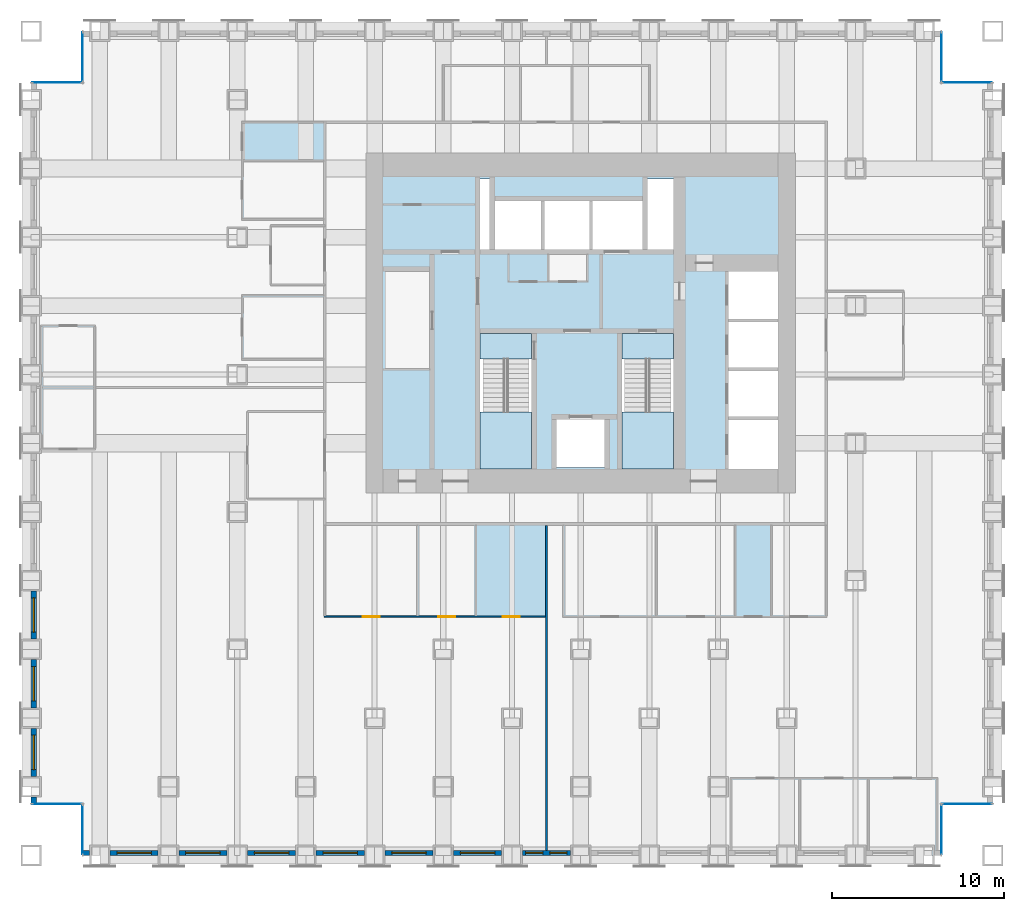
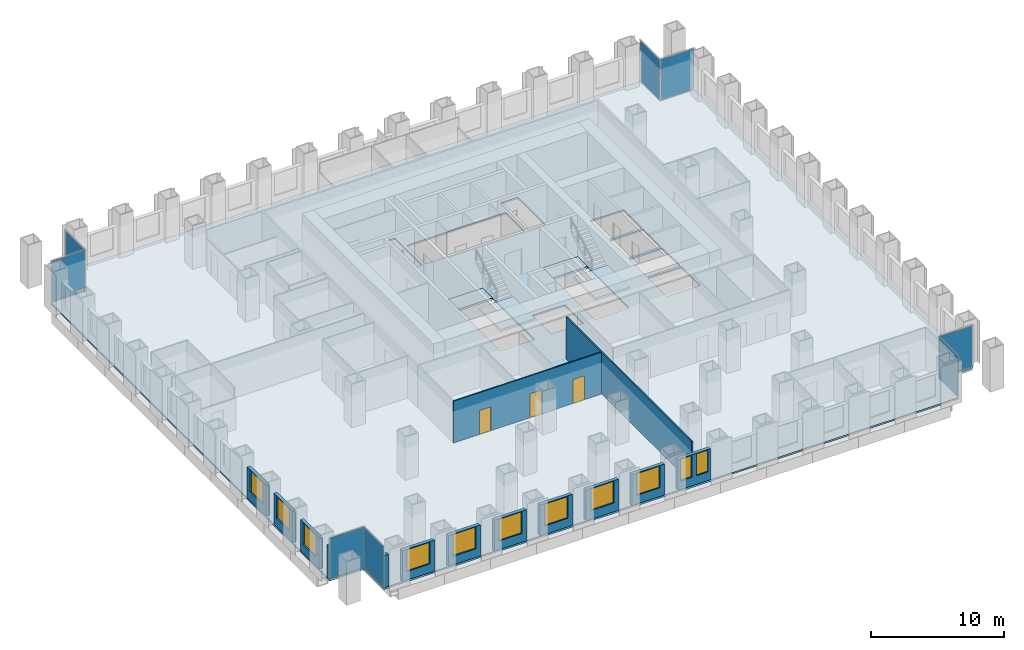
# One storey, part 8 of 15: 14 walls, 11 windows, 8 plates, 5 slabs, 3 doors, 14 openings, 10 elements without a shape of their own.
"""IFC4 building model written with IfcOpenShell, lengths in metres."""

import ifcopenshell
import ifcopenshell.guid

model = None  # the IFC model being written
_history = None  # IfcOwnerHistory: only IFC2X3 demands one
_inside = {}  # id of a spatial element -> (the spatial element, [elements in it])
_under = {}  # id of a project, library or spatial element -> (it, [spatial elements below it])
_declared = {}  # id of a project -> (the project, [libraries it declares])
_typed = {}  # id of a type object -> (the type object, [elements of that type])
_made_of = {}  # id of a material, layer set ... -> (it, [elements and type objects made of it])


def new_model(schema):
    """Start an empty IFC model of exactly this schema.

    Asked for "IFC4X3", IfcOpenShell would pick the latest addendum, in which some entities
    have other attributes; the version numbers below select the first issue.
    IFC2X3 requires an IfcOwnerHistory on every rooted entity: one is made here for all.
    """
    global model, _history
    if schema == "IFC4X3":
        model = ifcopenshell.file(schema_version=(4, 3, 0, 0))
    else:
        model = ifcopenshell.file(schema=schema)
    _inside.clear()
    _under.clear()
    _declared.clear()
    _typed.clear()
    _made_of.clear()
    _history = None
    if model.schema == "IFC2X3":
        org = make("IfcOrganization", Name="unknown")
        user = make(
            "IfcPersonAndOrganization",
            ThePerson=make("IfcPerson", FamilyName="unknown"),
            TheOrganization=org,
        )
        app = make(
            "IfcApplication",
            ApplicationDeveloper=org,
            Version="unknown",
            ApplicationFullName="unknown",
            ApplicationIdentifier="unknown",
        )
        _history = make(
            "IfcOwnerHistory",
            OwningUser=user,
            OwningApplication=app,
            ChangeAction="ADDED",
            CreationDate=0,
        )
    return model


def make(cls, **values):
    """One entity of the class cls with the attributes given. An attribute that is None is left unset."""
    return model.create_entity(
        cls, **{name: value for name, value in values.items() if value is not None}
    )


def rooted(cls, **values):
    """An entity with a GlobalId (a new one), such as an element, a storey or a relation."""
    return make(cls, GlobalId=ifcopenshell.guid.new(), OwnerHistory=_history, **values)


def si_unit(unit_type, name, prefix=None):
    """IfcSIUnit, for example si_unit("LENGTHUNIT", "METRE", prefix="MILLI")."""
    return make("IfcSIUnit", UnitType=unit_type, Prefix=prefix, Name=name)


def assignment(units):
    """IfcUnitAssignment: the units of a project."""
    return None if units is None else make("IfcUnitAssignment", Units=units)


def point(xyz):
    """IfcCartesianPoint."""
    return None if xyz is None else make("IfcCartesianPoint", Coordinates=xyz)


def direction(xyz):
    """IfcDirection."""
    return None if xyz is None else make("IfcDirection", DirectionRatios=xyz)


def frame(location, z_axis=None, x_axis=None):
    """IfcAxis2Placement3D, a coordinate frame: its origin and axes. An axis left out is left unset."""
    return make(
        "IfcAxis2Placement3D",
        Location=point(location),
        Axis=direction(z_axis),
        RefDirection=direction(x_axis),
    )


def frame_2d(location, x_axis=None):
    """IfcAxis2Placement2D, a coordinate frame in the plane: its origin and x axis."""
    return make(
        "IfcAxis2Placement2D", Location=point(location), RefDirection=direction(x_axis)
    )


def origin():
    """The frame at (0, 0, 0) with its axes left unset."""
    return frame((0.0, 0.0, 0.0))


def origin_2d():
    """The frame at (0, 0) in the plane with its x axis left unset."""
    return frame_2d((0.0, 0.0))


def place(relative_to, where):
    """IfcLocalPlacement: puts the frame where relative to a parent placement (None: the world)."""
    return make(
        "IfcLocalPlacement", PlacementRelTo=relative_to, RelativePlacement=where
    )


def context(
    kind, dimensions, precision=None, world=None, true_north=None, identifier=None
):
    """IfcGeometricRepresentationContext, for example the 3D "Model" context."""
    return make(
        "IfcGeometricRepresentationContext",
        ContextIdentifier=identifier,
        ContextType=kind,
        CoordinateSpaceDimension=dimensions,
        Precision=precision,
        WorldCoordinateSystem=world,
        TrueNorth=true_north,
    )


def subcontext(parent, identifier, kind, view, scale=None):
    """IfcGeometricRepresentationSubContext, for example "Body" below "Model"."""
    return make(
        "IfcGeometricRepresentationSubContext",
        ContextIdentifier=identifier,
        ContextType=kind,
        ParentContext=parent,
        TargetScale=scale,
        TargetView=view,
    )


def project(units=None, contexts=None):
    """IfcProject with its units and contexts."""
    return rooted(
        "IfcProject",
        Name="project",
        RepresentationContexts=contexts,
        UnitsInContext=assignment(units),
    )


def spatial(cls, under=None, at=None, **own):
    """A site, building, storey or space (cls), placed at a placement, below another one or the project."""
    s = rooted(cls, ObjectPlacement=at, **own)
    if under is not None:
        _under.setdefault(under.id(), (under, []))[1].append(s)
    return s


def polyline(points):
    """IfcPolyline through the points."""
    return make("IfcPolyline", Points=[point(p) for p in points])


def profile(cls, at=None, kind="AREA", **sizes):
    """A parametric profile (cls). Its sizes go by their IFC names, for example OverallWidth=200.0."""
    return make(cls, ProfileType=kind, Position=at, **sizes)


def rectangle(**sizes):
    """IfcRectangleProfileDef."""
    return profile("IfcRectangleProfileDef", **sizes)


def outline(outer, holes=None, kind="AREA"):
    """IfcArbitraryClosedProfileDef: a profile drawn as a closed curve; with holes, ...WithVoids."""
    if holes is None:
        return make("IfcArbitraryClosedProfileDef", ProfileType=kind, OuterCurve=outer)
    return make(
        "IfcArbitraryProfileDefWithVoids",
        ProfileType=kind,
        OuterCurve=outer,
        InnerCurves=holes,
    )


def extrude(swept, where, along, depth):
    """IfcExtrudedAreaSolid: the profile swept, set in the frame where, extruded along a direction by depth."""
    return make(
        "IfcExtrudedAreaSolid",
        SweptArea=swept,
        Position=where,
        ExtrudedDirection=direction(along),
        Depth=depth,
    )


def shape(context_of_items, identifier, shape_type, items):
    """IfcShapeRepresentation: the items that make up one representation, for example the "Body"."""
    return make(
        "IfcShapeRepresentation",
        ContextOfItems=context_of_items,
        RepresentationIdentifier=identifier,
        RepresentationType=shape_type,
        Items=items,
    )


def material(Name=None, Category=None):
    """IfcMaterial."""
    return make("IfcMaterial", Name=Name, Category=Category)


def layer(
    of_material, thickness, ventilated=None, Name=None, Category=None, Priority=None
):
    """IfcMaterialLayer: one layer of a wall or slab, of a material (None: an air gap)."""
    return make(
        "IfcMaterialLayer",
        Material=of_material,
        LayerThickness=thickness,
        IsVentilated=ventilated,
        Name=Name,
        Category=Category,
        Priority=Priority,
    )


def layer_set(layers, Name=None):
    """IfcMaterialLayerSet."""
    return make("IfcMaterialLayerSet", MaterialLayers=layers, LayerSetName=Name)


def made_of(thing, what):
    """Note that an element or type object is made of a material, layer set ...; save() writes the relation."""
    if what is not None:
        _made_of.setdefault(what.id(), (what, []))[1].append(thing)
    return thing


def type_object(cls, material=None, **own):
    """A type object (cls), such as IfcWallType, which elements share."""
    return made_of(rooted(cls, **own), material)


def element(
    cls,
    number,
    at=None,
    inside=None,
    cuts=None,
    type_object=None,
    material=None,
    context=None,
    identifier="Body",
    shape_type=None,
    held_by="IfcProductDefinitionShape",
    body=None,
    shapes=None,
    **own,
):
    """One element of the class cls, such as IfcWall. Its Tag is "e" and its number.

    at: its placement. inside: the storey or other place that contains it. cuts: it is an
    opening in that element (IfcRelVoidsElement). A single representation is given by context,
    identifier, shape_type and body (its items); several are given by shapes. held_by: the class
    of the entity that holds the representations. save() writes the other relations.
    """
    e = rooted(cls, Tag="e%d" % number, ObjectPlacement=at, **own)
    if body is not None:
        shapes = [shape(context, identifier, shape_type, body)]
    if shapes is not None:
        e.Representation = make(held_by, Representations=shapes)
    if inside is not None:
        _inside.setdefault(inside.id(), (inside, []))[1].append(e)
    if cuts is not None:
        rooted(
            "IfcRelVoidsElement", RelatingBuildingElement=cuts, RelatedOpeningElement=e
        )
    if type_object is not None:
        _typed.setdefault(type_object.id(), (type_object, []))[1].append(e)
    return made_of(e, material)


def fill(opening, filler):
    """IfcRelFillsElement: the door or window that sits in an opening."""
    return rooted(
        "IfcRelFillsElement",
        RelatingOpeningElement=opening,
        RelatedBuildingElement=filler,
    )


def aggregate(whole, parts):
    """IfcRelAggregates: a whole, such as a stair, and the parts it consists of."""
    return rooted("IfcRelAggregates", RelatingObject=whole, RelatedObjects=parts)


def save(model, path):
    """Write the relations noted so far, then the file.

    IfcRelAggregates (storeys below a building ...), IfcRelContainedInSpatialStructure (elements
    in a storey), IfcRelDefinesByType, IfcRelAssociatesMaterial and IfcRelDeclares: one each for
    every whole, place, type object, material and project.
    """
    for whole, parts in _under.values():
        aggregate(whole, parts)
    for where, things in _inside.values():
        rooted(
            "IfcRelContainedInSpatialStructure",
            RelatedElements=things,
            RelatingStructure=where,
        )
    for kind, things in _typed.values():
        rooted("IfcRelDefinesByType", RelatedObjects=things, RelatingType=kind)
    for what, things in _made_of.values():
        rooted("IfcRelAssociatesMaterial", RelatedObjects=things, RelatingMaterial=what)
    for by, libraries in _declared.values():
        rooted("IfcRelDeclares", RelatingContext=by, RelatedDefinitions=libraries)
    model.write(path)


model = new_model("IFC4")

# Units and contexts
model_context = context("Model", 3, precision=1e-05, world=origin(), true_north=direction((0.0, 1.0)))
body_context = subcontext(model_context, "Body", "Model", "MODEL_VIEW")
ifc_project = project(units=[si_unit("LENGTHUNIT", "METRE"), si_unit("AREAUNIT", "SQUARE_METRE"), si_unit("VOLUMEUNIT", "CUBIC_METRE"), si_unit("PLANEANGLEUNIT", "RADIAN"), si_unit("MASSUNIT", "GRAM", prefix="KILO")], contexts=[model_context])

# Site, building, storey
site_placement = place(None, origin())
site = spatial("IfcSite", under=ifc_project, at=site_placement, CompositionType="ELEMENT")
building_placement = place(site_placement, origin())
building = spatial("IfcBuilding", under=site, at=building_placement, Name="Rimbunsela Tower", CompositionType="ELEMENT")
storey_placement = place(building_placement, frame((0.0, 0.0, 27.0)))
storey = spatial("IfcBuildingStorey", under=building, at=storey_placement, Name="L06", CompositionType="ELEMENT", Elevation=27.0)

# Slab
ifc_material_1 = material(Name="Concrete fc' 35 MPa", Category="concrete")
ifc_layer_1 = layer(ifc_material_1, 0.14990234375)
ifc_layer_set_1 = layer_set([ifc_layer_1], Name="Floor slab 150")
slab_type_1 = type_object("IfcSlabType", Name="Floor slab 150", PredefinedType="FLOOR", material=ifc_layer_set_1)
slab_1_placement = place(storey_placement, frame((0.0, 0.0, -0.14990234375)))
element("IfcSlab", 1, at=slab_1_placement, inside=storey, type_object=slab_type_1, Name="Floor slab L06", PredefinedType="FLOOR", context=body_context, shape_type="SweptSolid", body=[
    extrude(outline(polyline([(1.0, -4.0), (51.0, -4.0), (51.0, -1.0), (54.0, -1.0), (54.0, 41.0), (51.0, 41.0), (51.0, 44.0), (1.0, 44.0), (1.0, 41.0), (-2.0, 41.0), (-2.0, -1.0), (1.0, -1.0), (1.0, -4.0)]), holes=[polyline([(27.14990234375, 18.60009765625), (27.14990234375, 26.39990234375), (24.14990234375, 26.39990234375), (24.14990234375, 18.60009765625), (27.14990234375, 18.60009765625)]), polyline([(24.699951171875, 31.300048828125), (24.699951171875, 35.39990234375), (24.14990234375, 35.39990234375), (24.14990234375, 31.300048828125), (24.699951171875, 31.300048828125)]), polyline([(25.0, 34.10009765625), (25.0, 31.300048828125), (33.60009765625, 31.300048828125), (33.60009765625, 34.10009765625), (25.0, 34.10009765625)]), polyline([(31.39990234375, 21.39990234375), (28.60009765625, 21.39990234375), (28.60009765625, 18.60009765625), (31.39990234375, 18.60009765625), (31.39990234375, 21.39990234375)]), polyline([(35.39990234375, 18.60009765625), (35.39990234375, 26.39990234375), (32.39990234375, 26.39990234375), (32.39990234375, 18.60009765625), (35.39990234375, 18.60009765625)]), polyline([(35.39990234375, 31.300048828125), (35.39990234375, 35.39990234375), (33.89990234375, 35.39990234375), (33.89990234375, 31.300048828125), (35.39990234375, 31.300048828125)]), polyline([(41.5, 21.35009765625), (38.60009765625, 21.35009765625), (38.60009765625, 18.5), (41.5, 18.5), (41.5, 21.35009765625)]), polyline([(41.5, 21.550048828125), (41.5, 24.199951171875), (38.60009765625, 24.199951171875), (38.60009765625, 21.550048828125), (41.5, 21.550048828125)]), polyline([(41.5, 27.050048828125), (38.60009765625, 27.050048828125), (38.60009765625, 24.39990234375), (41.5, 24.39990234375), (41.5, 27.050048828125)]), polyline([(41.5, 27.25), (41.5, 30.0), (38.60009765625, 30.0), (38.60009765625, 27.25), (41.5, 27.25)])]), origin(), (0.0, 0.0, 1.0), 0.14990234375),
])

# Curtain wall, plate
ifc_material_2 = material(Name="Aluminium curtain wall", Category="aluminium")
curtain_wall_type = type_object("IfcCurtainWallType", Name="Corner glazing", PredefinedType="USERDEFINED", material=ifc_material_2)
curtain_wall_1_placement = place(storey_placement, origin())
curtain_wall_1 = element("IfcCurtainWall", 2, at=curtain_wall_1_placement, inside=storey, type_object=curtain_wall_type, Name="Corner glazing L06", ObjectType="CORNER GLAZING", PredefinedType="USERDEFINED")
ifc_material_3 = material(Name="Clear double glazing", Category="glass")
ifc_layer_2 = layer(ifc_material_3, 0.028076171875)
ifc_layer_set_2 = layer_set([ifc_layer_2], Name="Glazed panel clear")
plate_type = type_object("IfcPlateType", Name="Glazed panel clear", PredefinedType="CURTAIN_PANEL", material=ifc_layer_set_2)
plate_1_placement = place(storey_placement, frame((51.0, -2.5, 0.06005859375), z_axis=(0.0, 0.0, 1.0), x_axis=(0.0, 1.0, 0.0)))
plate_1 = element("IfcPlate", 3, at=plate_1_placement, type_object=plate_type, Name="CW5 panel 1.1", PredefinedType="CURTAIN_PANEL", context=body_context, shape_type="SweptSolid", body=[
    extrude(rectangle(XDim=2.8798828125, YDim=0.028076171875, at=origin_2d()), origin(), (0.0, 0.0, 1.0), 3.72998046875),
])
aggregate(curtain_wall_1, [plate_1])

curtain_wall_2_placement = place(storey_placement, origin())
curtain_wall_2 = element("IfcCurtainWall", 4, at=curtain_wall_2_placement, inside=storey, type_object=curtain_wall_type, Name="Corner glazing L06", ObjectType="CORNER GLAZING", PredefinedType="USERDEFINED")
plate_2_placement = place(storey_placement, frame((52.5, -1.0, 0.06005859375), z_axis=(0.0, 0.0, 1.0), x_axis=(1.0, 0.0, 0.0)))
plate_2 = element("IfcPlate", 5, at=plate_2_placement, type_object=plate_type, Name="CW5 panel 1.1", PredefinedType="CURTAIN_PANEL", context=body_context, shape_type="SweptSolid", body=[
    extrude(rectangle(XDim=2.8798828125, YDim=0.028076171875, at=origin_2d()), origin(), (0.0, 0.0, 1.0), 3.72998046875),
])
aggregate(curtain_wall_2, [plate_2])

curtain_wall_3_placement = place(storey_placement, origin())
curtain_wall_3 = element("IfcCurtainWall", 6, at=curtain_wall_3_placement, inside=storey, type_object=curtain_wall_type, Name="Corner glazing L06", ObjectType="CORNER GLAZING", PredefinedType="USERDEFINED")
plate_3_placement = place(storey_placement, frame((52.5, 41.0, 0.06005859375), z_axis=(0.0, 0.0, 1.0), x_axis=(-1.0, 0.0, 0.0)))
plate_3 = element("IfcPlate", 7, at=plate_3_placement, type_object=plate_type, Name="CW5 panel 1.1", PredefinedType="CURTAIN_PANEL", context=body_context, shape_type="SweptSolid", body=[
    extrude(rectangle(XDim=2.8798828125, YDim=0.028076171875, at=origin_2d()), origin(), (0.0, 0.0, 1.0), 3.72998046875),
])
aggregate(curtain_wall_3, [plate_3])

curtain_wall_4_placement = place(storey_placement, origin())
curtain_wall_4 = element("IfcCurtainWall", 8, at=curtain_wall_4_placement, inside=storey, type_object=curtain_wall_type, Name="Corner glazing L06", ObjectType="CORNER GLAZING", PredefinedType="USERDEFINED")
plate_4_placement = place(storey_placement, frame((51.0, 42.5, 0.06005859375), z_axis=(0.0, 0.0, 1.0), x_axis=(0.0, 1.0, 0.0)))
plate_4 = element("IfcPlate", 9, at=plate_4_placement, type_object=plate_type, Name="CW5 panel 1.1", PredefinedType="CURTAIN_PANEL", context=body_context, shape_type="SweptSolid", body=[
    extrude(rectangle(XDim=2.8798828125, YDim=0.028076171875, at=origin_2d()), origin(), (0.0, 0.0, 1.0), 3.72998046875),
])
aggregate(curtain_wall_4, [plate_4])

curtain_wall_5_placement = place(storey_placement, origin())
curtain_wall_5 = element("IfcCurtainWall", 10, at=curtain_wall_5_placement, inside=storey, type_object=curtain_wall_type, Name="Corner glazing L06", ObjectType="CORNER GLAZING", PredefinedType="USERDEFINED")
plate_5_placement = place(storey_placement, frame((1.0, 42.5, 0.06005859375), z_axis=(0.0, 0.0, 1.0), x_axis=(0.0, -1.0, 0.0)))
plate_5 = element("IfcPlate", 11, at=plate_5_placement, type_object=plate_type, Name="CW5 panel 1.1", PredefinedType="CURTAIN_PANEL", context=body_context, shape_type="SweptSolid", body=[
    extrude(rectangle(XDim=2.8798828125, YDim=0.028076171875, at=origin_2d()), origin(), (0.0, 0.0, 1.0), 3.72998046875),
])
aggregate(curtain_wall_5, [plate_5])

curtain_wall_6_placement = place(storey_placement, origin())
curtain_wall_6 = element("IfcCurtainWall", 12, at=curtain_wall_6_placement, inside=storey, type_object=curtain_wall_type, Name="Corner glazing L06", ObjectType="CORNER GLAZING", PredefinedType="USERDEFINED")
plate_6_placement = place(storey_placement, frame((-0.5, 41.0, 0.06005859375), z_axis=(0.0, 0.0, 1.0), x_axis=(-1.0, 0.0, 0.0)))
plate_6 = element("IfcPlate", 13, at=plate_6_placement, type_object=plate_type, Name="CW5 panel 1.1", PredefinedType="CURTAIN_PANEL", context=body_context, shape_type="SweptSolid", body=[
    extrude(rectangle(XDim=2.8798828125, YDim=0.028076171875, at=origin_2d()), origin(), (0.0, 0.0, 1.0), 3.72998046875),
])
aggregate(curtain_wall_6, [plate_6])

curtain_wall_7_placement = place(storey_placement, origin())
curtain_wall_7 = element("IfcCurtainWall", 14, at=curtain_wall_7_placement, inside=storey, type_object=curtain_wall_type, Name="Corner glazing L06", ObjectType="CORNER GLAZING", PredefinedType="USERDEFINED")
plate_7_placement = place(storey_placement, frame((-0.5, -1.0, 0.06005859375), z_axis=(0.0, 0.0, 1.0), x_axis=(1.0, 0.0, 0.0)))
plate_7 = element("IfcPlate", 15, at=plate_7_placement, type_object=plate_type, Name="CW5 panel 1.1", PredefinedType="CURTAIN_PANEL", context=body_context, shape_type="SweptSolid", body=[
    extrude(rectangle(XDim=2.8798828125, YDim=0.028076171875, at=origin_2d()), origin(), (0.0, 0.0, 1.0), 3.72998046875),
])
aggregate(curtain_wall_7, [plate_7])

curtain_wall_8_placement = place(storey_placement, origin())
curtain_wall_8 = element("IfcCurtainWall", 16, at=curtain_wall_8_placement, inside=storey, type_object=curtain_wall_type, Name="Corner glazing L06", ObjectType="CORNER GLAZING", PredefinedType="USERDEFINED")
plate_8_placement = place(storey_placement, frame((1.0, -2.5, 0.06005859375), z_axis=(0.0, 0.0, 1.0), x_axis=(0.0, -1.0, 0.0)))
plate_8 = element("IfcPlate", 17, at=plate_8_placement, type_object=plate_type, Name="CW5 panel 1.1", PredefinedType="CURTAIN_PANEL", context=body_context, shape_type="SweptSolid", body=[
    extrude(rectangle(XDim=2.8798828125, YDim=0.028076171875, at=origin_2d()), origin(), (0.0, 0.0, 1.0), 3.72998046875),
])
aggregate(curtain_wall_8, [plate_8])

# Stair, slabs
ifc_material_4 = material(Name="Concrete fc' 35 MPa", Category="concrete")
stair_type = type_object("IfcStairType", Name="Exit stair 24 risers", PredefinedType="HALF_TURN_STAIR", material=ifc_material_4)
stair_1_placement = place(storey_placement, origin())
stair_1 = element("IfcStair", 18, at=stair_1_placement, inside=storey, type_object=stair_type, Name="Exit stair A L06", PredefinedType="HALF_TURN_STAIR")
ifc_material_5 = material(Name="Concrete fc' 35 MPa", Category="concrete")
ifc_layer_3 = layer(ifc_material_5, 0.199951171875)
ifc_layer_set_3 = layer_set([ifc_layer_3], Name="Stair landing 200")
slab_type_2 = type_object("IfcSlabType", Name="Stair landing 200", PredefinedType="LANDING", material=ifc_layer_set_3)
slab_2_placement = place(storey_placement, frame((0.0, 0.0, -0.199951171875)))
slab_2 = element("IfcSlab", 19, at=slab_2_placement, type_object=slab_type_2, Name="ST-A landing 1", PredefinedType="LANDING", context=body_context, shape_type="SweptSolid", body=[
    extrude(outline(polyline([(24.14990234375, 24.89990234375), (27.14990234375, 24.89990234375), (27.14990234375, 26.39990234375), (24.14990234375, 26.39990234375), (24.14990234375, 24.89990234375)])), origin(), (0.0, 0.0, 1.0), 0.199951171875),
])
slab_3_placement = place(storey_placement, frame((0.0, 0.0, 1.800048828125)))
slab_3 = element("IfcSlab", 20, at=slab_3_placement, type_object=slab_type_2, Name="ST-A landing 2", PredefinedType="LANDING", context=body_context, shape_type="SweptSolid", body=[
    extrude(outline(polyline([(24.14990234375, 18.5), (27.14990234375, 18.5), (27.14990234375, 21.820068359375), (24.14990234375, 21.820068359375), (24.14990234375, 18.5)])), origin(), (0.0, 0.0, 1.0), 0.199951171875),
])
aggregate(stair_1, [slab_2, slab_3])

stair_2_placement = place(storey_placement, origin())
stair_2 = element("IfcStair", 21, at=stair_2_placement, inside=storey, type_object=stair_type, Name="Exit stair B L06", PredefinedType="HALF_TURN_STAIR")
slab_4_placement = place(storey_placement, frame((0.0, 0.0, -0.199951171875)))
slab_4 = element("IfcSlab", 22, at=slab_4_placement, type_object=slab_type_2, Name="ST-B landing 1", PredefinedType="LANDING", context=body_context, shape_type="SweptSolid", body=[
    extrude(outline(polyline([(32.39990234375, 24.89990234375), (35.39990234375, 24.89990234375), (35.39990234375, 26.39990234375), (32.39990234375, 26.39990234375), (32.39990234375, 24.89990234375)])), origin(), (0.0, 0.0, 1.0), 0.199951171875),
])
slab_5_placement = place(storey_placement, frame((0.0, 0.0, 1.800048828125)))
slab_5 = element("IfcSlab", 23, at=slab_5_placement, type_object=slab_type_2, Name="ST-B landing 2", PredefinedType="LANDING", context=body_context, shape_type="SweptSolid", body=[
    extrude(outline(polyline([(32.39990234375, 18.5), (35.39990234375, 18.5), (35.39990234375, 21.820068359375), (32.39990234375, 21.820068359375), (32.39990234375, 18.5)])), origin(), (0.0, 0.0, 1.0), 0.199951171875),
])
aggregate(stair_2, [slab_4, slab_5])

# Wall, openings, doors
ifc_material_6 = material(Name="Gypsum board on steel studs", Category="steel")
ifc_layer_4 = layer(ifc_material_6, 0.10009765625)
ifc_layer_set_4 = layer_set([ifc_layer_4], Name="Office partition 100")
wall_type_1 = type_object("IfcWallType", Name="Office partition 100", PredefinedType="PARTITIONING", material=ifc_layer_set_4)
wall_1_placement = place(storey_placement, frame((15.050048828125, 9.89990234375, 0.0), z_axis=(0.0, 0.0, 1.0), x_axis=(1.0, 0.0, 0.0)))
wall_1 = element("IfcWall", 24, at=wall_1_placement, inside=storey, type_object=wall_type_1, Name="Office partition", PredefinedType="PARTITIONING", context=body_context, shape_type="SweptSolid", body=[
    extrude(rectangle(XDim=12.888916015625, YDim=0.10009765625, at=frame_2d((6.4443359375, 0.0))), origin(), (0.0, 0.0, 1.0), 3.85009765625),
])
opening_1_placement = place(wall_1_placement, frame((2.25, 0.0, 0.0)))
opening_1 = element("IfcOpeningElement", 25, at=opening_1_placement, cuts=wall_1, Name="Opening D17", PredefinedType="OPENING", context=body_context, shape_type="SweptSolid", body=[
    extrude(rectangle(XDim=1.0, YDim=2.199951171875, at=frame_2d((0.5, 1.10009765625))), frame((0.0, 0.06005859375, 0.0), z_axis=(0.0, -1.0, 0.0), x_axis=(1.0, 0.0, 0.0)), (0.0, 0.0, 1.0), 0.1201171875),
])
opening_2_placement = place(wall_1_placement, frame((6.64990234375, 0.0, 0.0)))
opening_2 = element("IfcOpeningElement", 26, at=opening_2_placement, cuts=wall_1, Name="Opening D16", PredefinedType="OPENING", context=body_context, shape_type="SweptSolid", body=[
    extrude(rectangle(XDim=1.0, YDim=2.199951171875, at=frame_2d((0.5, 1.10009765625))), frame((0.0, 0.06005859375, 0.0), z_axis=(0.0, -1.0, 0.0), x_axis=(1.0, 0.0, 0.0)), (0.0, 0.0, 1.0), 0.1201171875),
])
opening_3_placement = place(wall_1_placement, frame((10.3994140625, 0.0, 0.0)))
opening_3 = element("IfcOpeningElement", 27, at=opening_3_placement, cuts=wall_1, Name="Opening D16", PredefinedType="OPENING", context=body_context, shape_type="SweptSolid", body=[
    extrude(rectangle(XDim=1.0, YDim=2.199951171875, at=frame_2d((0.5, 1.10009765625))), frame((0.0, 0.06005859375, 0.0), z_axis=(0.0, -1.0, 0.0), x_axis=(1.0, 0.0, 0.0)), (0.0, 0.0, 1.0), 0.1201171875),
])
ifc_material_7 = material(Name="Glazed aluminium door", Category="aluminium")
door_type_1 = type_object("IfcDoorType", Name="Meeting room door 1000 glazed", OperationType="SINGLE_SWING_RIGHT", PredefinedType="DOOR", material=ifc_material_7)
door_1_placement = place(opening_1_placement, origin())
door_1 = element("IfcDoor", 28, at=door_1_placement, inside=storey, type_object=door_type_1, Name="Meeting room door", OperationType="SINGLE_SWING_RIGHT", OverallHeight=2.199951171875, OverallWidth=1.0, PredefinedType="DOOR", context=body_context, shape_type="SweptSolid", body=[
    extrude(rectangle(XDim=1.0, YDim=2.199951171875, at=frame_2d((0.5, 1.10009765625))), frame((0.0, 0.02490234375, 0.0), z_axis=(0.0, -1.0, 0.0), x_axis=(1.0, 0.0, 0.0)), (0.0, 0.0, 1.0), 0.050048828125),
])
fill(opening_1, door_1)
ifc_material_8 = material(Name="Timber door", Category="wood")
door_type_2 = type_object("IfcDoorType", Name="Office door 1000", OperationType="SINGLE_SWING_LEFT", PredefinedType="DOOR", material=ifc_material_8)
door_2_placement = place(opening_2_placement, origin())
door_2 = element("IfcDoor", 29, at=door_2_placement, inside=storey, type_object=door_type_2, Name="Office door", OperationType="SINGLE_SWING_LEFT", OverallHeight=2.199951171875, OverallWidth=1.0, PredefinedType="DOOR", context=body_context, shape_type="SweptSolid", body=[
    extrude(rectangle(XDim=1.0, YDim=2.199951171875, at=frame_2d((0.5, 1.10009765625))), frame((0.0, 0.02490234375, 0.0), z_axis=(0.0, -1.0, 0.0), x_axis=(1.0, 0.0, 0.0)), (0.0, 0.0, 1.0), 0.050048828125),
])
fill(opening_2, door_2)
door_3_placement = place(opening_3_placement, origin())
door_3 = element("IfcDoor", 30, at=door_3_placement, inside=storey, type_object=door_type_2, Name="Office door", OperationType="SINGLE_SWING_LEFT", OverallHeight=2.199951171875, OverallWidth=1.0, PredefinedType="DOOR", context=body_context, shape_type="SweptSolid", body=[
    extrude(rectangle(XDim=1.0, YDim=2.199951171875, at=frame_2d((0.5, 1.10009765625))), frame((0.0, 0.02490234375, 0.0), z_axis=(0.0, -1.0, 0.0), x_axis=(1.0, 0.0, 0.0)), (0.0, 0.0, 1.0), 0.050048828125),
])
fill(opening_3, door_3)

# Wall
ifc_material_9 = material(Name="Precast concrete fc' 35 MPa", Category="concrete")
ifc_layer_5 = layer(ifc_material_9, 0.300048828125)
ifc_layer_set_5 = layer_set([ifc_layer_5], Name="Precast concrete fc' 35 MPa")
wall_type_2 = type_object("IfcWallType", Name="Precast facade panel 300", PredefinedType="ELEMENTEDWALL", material=ifc_layer_set_5)
wall_2_placement = place(storey_placement, frame((1.030029296875, -3.85009765625, 0.0), z_axis=(0.0, 0.0, 1.0), x_axis=(1.0, 0.0, 0.0)))
element("IfcWall", 31, at=wall_2_placement, inside=storey, type_object=wall_type_2, Name="Facade panel S L06", PredefinedType="ELEMENTEDWALL", context=body_context, shape_type="SweptSolid", body=[
    extrude(rectangle(XDim=0.369873046875, YDim=0.300048828125, at=frame_2d((0.18505859375, 0.0))), origin(), (0.0, 0.0, 1.0), 2.949951171875),
])

# Wall, opening, window
wall_3_placement = place(storey_placement, frame((2.60009765625, -3.85009765625, 0.0), z_axis=(0.0, 0.0, 1.0), x_axis=(1.0, 0.0, 0.0)))
wall_3 = element("IfcWall", 32, at=wall_3_placement, inside=storey, type_object=wall_type_2, Name="Facade panel S L06", PredefinedType="ELEMENTEDWALL", context=body_context, shape_type="SweptSolid", body=[
    extrude(rectangle(XDim=2.7998046875, YDim=0.300048828125, at=frame_2d((1.39990234375, 0.0))), origin(), (0.0, 0.0, 1.0), 2.85009765625),
])
opening_4_placement = place(wall_3_placement, frame((0.39990234375, 0.0, 0.800048828125)))
opening_4 = element("IfcOpeningElement", 33, at=opening_4_placement, cuts=wall_3, Name="Opening W1", PredefinedType="OPENING", context=body_context, shape_type="SweptSolid", body=[
    extrude(rectangle(XDim=2.0, YDim=2.0, at=frame_2d((1.0, 1.0))), frame((0.0, 0.159912109375, 0.0), z_axis=(0.0, -1.0, 0.0), x_axis=(1.0, 0.0, 0.0)), (0.0, 0.0, 1.0), 0.320068359375),
])
ifc_material_10 = material(Name="Clear glass in aluminium frame", Category="aluminium")
window_type_1 = type_object("IfcWindowType", Name="Window W1 2000x2000", PartitioningType="DOUBLE_PANEL_VERTICAL", PredefinedType="WINDOW", material=ifc_material_10)
window_1_placement = place(opening_4_placement, origin())
window_1 = element("IfcWindow", 34, at=window_1_placement, inside=storey, type_object=window_type_1, Name="Window L06", OverallHeight=2.0, OverallWidth=2.0, PartitioningType="SINGLE_PANEL", PredefinedType="WINDOW", context=body_context, shape_type="SweptSolid", body=[
    extrude(rectangle(XDim=2.0, YDim=2.0, at=frame_2d((1.0, 1.0))), frame((0.0, 0.030029296875, 0.0), z_axis=(0.0, -1.0, 0.0), x_axis=(1.0, 0.0, 0.0)), (0.0, 0.0, 1.0), 0.06005859375),
])
fill(opening_4, window_1)

wall_4_placement = place(storey_placement, frame((6.60009765625, -3.85009765625, 0.0), z_axis=(0.0, 0.0, 1.0), x_axis=(1.0, 0.0, 0.0)))
wall_4 = element("IfcWall", 35, at=wall_4_placement, inside=storey, type_object=wall_type_2, Name="Facade panel S L06", PredefinedType="ELEMENTEDWALL", context=body_context, shape_type="SweptSolid", body=[
    extrude(rectangle(XDim=2.7998046875, YDim=0.300048828125, at=frame_2d((1.39990234375, 0.0))), origin(), (0.0, 0.0, 1.0), 2.85009765625),
])
opening_5_placement = place(wall_4_placement, frame((0.39990234375, 0.0, 0.800048828125)))
opening_5 = element("IfcOpeningElement", 36, at=opening_5_placement, cuts=wall_4, Name="Opening W1", PredefinedType="OPENING", context=body_context, shape_type="SweptSolid", body=[
    extrude(rectangle(XDim=2.0, YDim=2.0, at=frame_2d((1.0, 1.0))), frame((0.0, 0.159912109375, 0.0), z_axis=(0.0, -1.0, 0.0), x_axis=(1.0, 0.0, 0.0)), (0.0, 0.0, 1.0), 0.320068359375),
])
window_2_placement = place(opening_5_placement, origin())
window_2 = element("IfcWindow", 37, at=window_2_placement, inside=storey, type_object=window_type_1, Name="Window L06", OverallHeight=2.0, OverallWidth=2.0, PartitioningType="SINGLE_PANEL", PredefinedType="WINDOW", context=body_context, shape_type="SweptSolid", body=[
    extrude(rectangle(XDim=2.0, YDim=2.0, at=frame_2d((1.0, 1.0))), frame((0.0, 0.030029296875, 0.0), z_axis=(0.0, -1.0, 0.0), x_axis=(1.0, 0.0, 0.0)), (0.0, 0.0, 1.0), 0.06005859375),
])
fill(opening_5, window_2)

wall_5_placement = place(storey_placement, frame((10.60009765625, -3.85009765625, 0.0), z_axis=(0.0, 0.0, 1.0), x_axis=(1.0, 0.0, 0.0)))
wall_5 = element("IfcWall", 38, at=wall_5_placement, inside=storey, type_object=wall_type_2, Name="Facade panel S L06", PredefinedType="ELEMENTEDWALL", context=body_context, shape_type="SweptSolid", body=[
    extrude(rectangle(XDim=2.7998046875, YDim=0.300048828125, at=frame_2d((1.39990234375, 0.0))), origin(), (0.0, 0.0, 1.0), 2.85009765625),
])
opening_6_placement = place(wall_5_placement, frame((0.39990234375, 0.0, 0.800048828125)))
opening_6 = element("IfcOpeningElement", 39, at=opening_6_placement, cuts=wall_5, Name="Opening W1", PredefinedType="OPENING", context=body_context, shape_type="SweptSolid", body=[
    extrude(rectangle(XDim=2.0, YDim=2.0, at=frame_2d((1.0, 1.0))), frame((0.0, 0.159912109375, 0.0), z_axis=(0.0, -1.0, 0.0), x_axis=(1.0, 0.0, 0.0)), (0.0, 0.0, 1.0), 0.320068359375),
])
window_3_placement = place(opening_6_placement, origin())
window_3 = element("IfcWindow", 40, at=window_3_placement, inside=storey, type_object=window_type_1, Name="Window L06", OverallHeight=2.0, OverallWidth=2.0, PartitioningType="SINGLE_PANEL", PredefinedType="WINDOW", context=body_context, shape_type="SweptSolid", body=[
    extrude(rectangle(XDim=2.0, YDim=2.0, at=frame_2d((1.0, 1.0))), frame((0.0, 0.030029296875, 0.0), z_axis=(0.0, -1.0, 0.0), x_axis=(1.0, 0.0, 0.0)), (0.0, 0.0, 1.0), 0.06005859375),
])
fill(opening_6, window_3)

wall_6_placement = place(storey_placement, frame((14.60009765625, -3.85009765625, 0.0), z_axis=(0.0, 0.0, 1.0), x_axis=(1.0, 0.0, 0.0)))
wall_6 = element("IfcWall", 41, at=wall_6_placement, inside=storey, type_object=wall_type_2, Name="Facade panel S L06", PredefinedType="ELEMENTEDWALL", context=body_context, shape_type="SweptSolid", body=[
    extrude(rectangle(XDim=2.7998046875, YDim=0.300048828125, at=frame_2d((1.39990234375, 0.0))), origin(), (0.0, 0.0, 1.0), 2.85009765625),
])
opening_7_placement = place(wall_6_placement, frame((0.39990234375, 0.0, 0.800048828125)))
opening_7 = element("IfcOpeningElement", 42, at=opening_7_placement, cuts=wall_6, Name="Opening W1", PredefinedType="OPENING", context=body_context, shape_type="SweptSolid", body=[
    extrude(rectangle(XDim=2.0, YDim=2.0, at=frame_2d((1.0, 1.0))), frame((0.0, 0.159912109375, 0.0), z_axis=(0.0, -1.0, 0.0), x_axis=(1.0, 0.0, 0.0)), (0.0, 0.0, 1.0), 0.320068359375),
])
window_4_placement = place(opening_7_placement, origin())
window_4 = element("IfcWindow", 43, at=window_4_placement, inside=storey, type_object=window_type_1, Name="Window L06", OverallHeight=2.0, OverallWidth=2.0, PartitioningType="SINGLE_PANEL", PredefinedType="WINDOW", context=body_context, shape_type="SweptSolid", body=[
    extrude(rectangle(XDim=2.0, YDim=2.0, at=frame_2d((1.0, 1.0))), frame((0.0, 0.030029296875, 0.0), z_axis=(0.0, -1.0, 0.0), x_axis=(1.0, 0.0, 0.0)), (0.0, 0.0, 1.0), 0.06005859375),
])
fill(opening_7, window_4)

wall_7_placement = place(storey_placement, frame((18.60009765625, -3.85009765625, 0.0), z_axis=(0.0, 0.0, 1.0), x_axis=(1.0, 0.0, 0.0)))
wall_7 = element("IfcWall", 44, at=wall_7_placement, inside=storey, type_object=wall_type_2, Name="Facade panel S L06", PredefinedType="ELEMENTEDWALL", context=body_context, shape_type="SweptSolid", body=[
    extrude(rectangle(XDim=2.7998046875, YDim=0.300048828125, at=frame_2d((1.39990234375, 0.0))), origin(), (0.0, 0.0, 1.0), 2.85009765625),
])
opening_8_placement = place(wall_7_placement, frame((0.39990234375, 0.0, 0.800048828125)))
opening_8 = element("IfcOpeningElement", 45, at=opening_8_placement, cuts=wall_7, Name="Opening W1", PredefinedType="OPENING", context=body_context, shape_type="SweptSolid", body=[
    extrude(rectangle(XDim=2.0, YDim=2.0, at=frame_2d((1.0, 1.0))), frame((0.0, 0.159912109375, 0.0), z_axis=(0.0, -1.0, 0.0), x_axis=(1.0, 0.0, 0.0)), (0.0, 0.0, 1.0), 0.320068359375),
])
window_5_placement = place(opening_8_placement, origin())
window_5 = element("IfcWindow", 46, at=window_5_placement, inside=storey, type_object=window_type_1, Name="Window L06", OverallHeight=2.0, OverallWidth=2.0, PartitioningType="SINGLE_PANEL", PredefinedType="WINDOW", context=body_context, shape_type="SweptSolid", body=[
    extrude(rectangle(XDim=2.0, YDim=2.0, at=frame_2d((1.0, 1.0))), frame((0.0, 0.030029296875, 0.0), z_axis=(0.0, -1.0, 0.0), x_axis=(1.0, 0.0, 0.0)), (0.0, 0.0, 1.0), 0.06005859375),
])
fill(opening_8, window_5)

wall_8_placement = place(storey_placement, frame((22.60009765625, -3.85009765625, 0.0), z_axis=(0.0, 0.0, 1.0), x_axis=(1.0, 0.0, 0.0)))
wall_8 = element("IfcWall", 47, at=wall_8_placement, inside=storey, type_object=wall_type_2, Name="Facade panel S L06", PredefinedType="ELEMENTEDWALL", context=body_context, shape_type="SweptSolid", body=[
    extrude(rectangle(XDim=2.7998046875, YDim=0.300048828125, at=frame_2d((1.39990234375, 0.0))), origin(), (0.0, 0.0, 1.0), 2.85009765625),
])
opening_9_placement = place(wall_8_placement, frame((0.39990234375, 0.0, 0.800048828125)))
opening_9 = element("IfcOpeningElement", 48, at=opening_9_placement, cuts=wall_8, Name="Opening W1", PredefinedType="OPENING", context=body_context, shape_type="SweptSolid", body=[
    extrude(rectangle(XDim=2.0, YDim=2.0, at=frame_2d((1.0, 1.0))), frame((0.0, 0.159912109375, 0.0), z_axis=(0.0, -1.0, 0.0), x_axis=(1.0, 0.0, 0.0)), (0.0, 0.0, 1.0), 0.320068359375),
])
window_6_placement = place(opening_9_placement, origin())
window_6 = element("IfcWindow", 49, at=window_6_placement, inside=storey, type_object=window_type_1, Name="Window L06", OverallHeight=2.0, OverallWidth=2.0, PartitioningType="SINGLE_PANEL", PredefinedType="WINDOW", context=body_context, shape_type="SweptSolid", body=[
    extrude(rectangle(XDim=2.0, YDim=2.0, at=frame_2d((1.0, 1.0))), frame((0.0, 0.030029296875, 0.0), z_axis=(0.0, -1.0, 0.0), x_axis=(1.0, 0.0, 0.0)), (0.0, 0.0, 1.0), 0.06005859375),
])
fill(opening_9, window_6)

# Wall, openings, windows
wall_9_placement = place(storey_placement, frame((26.60009765625, -3.85009765625, 0.0), z_axis=(0.0, 0.0, 1.0), x_axis=(1.0, 0.0, 0.0)))
wall_9 = element("IfcWall", 50, at=wall_9_placement, inside=storey, type_object=wall_type_2, Name="Facade panel S L06", PredefinedType="ELEMENTEDWALL", context=body_context, shape_type="SweptSolid", body=[
    extrude(rectangle(XDim=2.7998046875, YDim=0.300048828125, at=frame_2d((1.39990234375, 0.0))), origin(), (0.0, 0.0, 1.0), 2.85009765625),
])
opening_10_placement = place(wall_9_placement, frame((0.199951171875, 0.0, 0.800048828125)))
opening_10 = element("IfcOpeningElement", 51, at=opening_10_placement, cuts=wall_9, Name="Opening W5", PredefinedType="OPENING", context=body_context, shape_type="SweptSolid", body=[
    extrude(rectangle(XDim=1.0, YDim=2.0, at=frame_2d((0.5, 1.0))), frame((0.0, 0.159912109375, 0.0), z_axis=(0.0, -1.0, 0.0), x_axis=(1.0, 0.0, 0.0)), (0.0, 0.0, 1.0), 0.320068359375),
])
opening_11_placement = place(wall_9_placement, frame((1.60009765625, 0.0, 0.800048828125)))
opening_11 = element("IfcOpeningElement", 52, at=opening_11_placement, cuts=wall_9, Name="Opening W5", PredefinedType="OPENING", context=body_context, shape_type="SweptSolid", body=[
    extrude(rectangle(XDim=1.0, YDim=2.0, at=frame_2d((0.5, 1.0))), frame((0.0, 0.159912109375, 0.0), z_axis=(0.0, -1.0, 0.0), x_axis=(1.0, 0.0, 0.0)), (0.0, 0.0, 1.0), 0.320068359375),
])
ifc_material_11 = material(Name="Clear glass in aluminium frame", Category="aluminium")
window_type_2 = type_object("IfcWindowType", Name="Window W5 1000x2000", PartitioningType="SINGLE_PANEL", PredefinedType="WINDOW", material=ifc_material_11)
window_7_placement = place(opening_10_placement, origin())
window_7 = element("IfcWindow", 53, at=window_7_placement, inside=storey, type_object=window_type_2, Name="Window L06", OverallHeight=2.0, OverallWidth=1.0, PartitioningType="SINGLE_PANEL", PredefinedType="WINDOW", context=body_context, shape_type="SweptSolid", body=[
    extrude(rectangle(XDim=1.0, YDim=2.0, at=frame_2d((0.5, 1.0))), frame((0.0, 0.030029296875, 0.0), z_axis=(0.0, -1.0, 0.0), x_axis=(1.0, 0.0, 0.0)), (0.0, 0.0, 1.0), 0.06005859375),
])
fill(opening_10, window_7)
window_8_placement = place(opening_11_placement, origin())
window_8 = element("IfcWindow", 54, at=window_8_placement, inside=storey, type_object=window_type_2, Name="Window L06", OverallHeight=2.0, OverallWidth=1.0, PartitioningType="SINGLE_PANEL", PredefinedType="WINDOW", context=body_context, shape_type="SweptSolid", body=[
    extrude(rectangle(XDim=1.0, YDim=2.0, at=frame_2d((0.5, 1.0))), frame((0.0, 0.030029296875, 0.0), z_axis=(0.0, -1.0, 0.0), x_axis=(1.0, 0.0, 0.0)), (0.0, 0.0, 1.0), 0.06005859375),
])
fill(opening_11, window_8)

# Wall
wall_10_placement = place(storey_placement, frame((-1.85009765625, -0.60009765625, 0.0), z_axis=(0.0, 0.0, 1.0), x_axis=(0.0, -1.0, 0.0)))
element("IfcWall", 55, at=wall_10_placement, inside=storey, type_object=wall_type_2, Name="Facade panel W L06", PredefinedType="ELEMENTEDWALL", context=body_context, shape_type="SweptSolid", body=[
    extrude(rectangle(XDim=0.369873046875, YDim=0.300048828125, at=frame_2d((0.18505859375, 0.0))), origin(), (0.0, 0.0, 1.0), 2.949951171875),
])

# Wall, opening, window
wall_11_placement = place(storey_placement, frame((-1.85009765625, 3.39990234375, 0.0), z_axis=(0.0, 0.0, 1.0), x_axis=(0.0, -1.0, 0.0)))
wall_11 = element("IfcWall", 56, at=wall_11_placement, inside=storey, type_object=wall_type_2, Name="Facade panel W L06", PredefinedType="ELEMENTEDWALL", context=body_context, shape_type="SweptSolid", body=[
    extrude(rectangle(XDim=2.7998046875, YDim=0.300048828125, at=frame_2d((1.39990234375, 0.0))), origin(), (0.0, 0.0, 1.0), 2.85009765625),
])
opening_12_placement = place(wall_11_placement, frame((0.39990234375, 0.0, 0.800048828125)))
opening_12 = element("IfcOpeningElement", 57, at=opening_12_placement, cuts=wall_11, Name="Opening W1", PredefinedType="OPENING", context=body_context, shape_type="SweptSolid", body=[
    extrude(rectangle(XDim=2.0, YDim=2.0, at=frame_2d((1.0, 1.0))), frame((0.0, 0.159912109375, 0.0), z_axis=(0.0, -1.0, 0.0), x_axis=(1.0, 0.0, 0.0)), (0.0, 0.0, 1.0), 0.320068359375),
])
window_9_placement = place(opening_12_placement, origin())
window_9 = element("IfcWindow", 58, at=window_9_placement, inside=storey, type_object=window_type_1, Name="Window L06", OverallHeight=2.0, OverallWidth=2.0, PartitioningType="SINGLE_PANEL", PredefinedType="WINDOW", context=body_context, shape_type="SweptSolid", body=[
    extrude(rectangle(XDim=2.0, YDim=2.0, at=frame_2d((1.0, 1.0))), frame((0.0, 0.030029296875, 0.0), z_axis=(0.0, -1.0, 0.0), x_axis=(1.0, 0.0, 0.0)), (0.0, 0.0, 1.0), 0.06005859375),
])
fill(opening_12, window_9)

wall_12_placement = place(storey_placement, frame((-1.85009765625, 7.39990234375, 0.0), z_axis=(0.0, 0.0, 1.0), x_axis=(0.0, -1.0, 0.0)))
wall_12 = element("IfcWall", 59, at=wall_12_placement, inside=storey, type_object=wall_type_2, Name="Facade panel W L06", PredefinedType="ELEMENTEDWALL", context=body_context, shape_type="SweptSolid", body=[
    extrude(rectangle(XDim=2.7998046875, YDim=0.300048828125, at=frame_2d((1.39990234375, 0.0))), origin(), (0.0, 0.0, 1.0), 2.85009765625),
])
opening_13_placement = place(wall_12_placement, frame((0.39990234375, 0.0, 0.800048828125)))
opening_13 = element("IfcOpeningElement", 60, at=opening_13_placement, cuts=wall_12, Name="Opening W1", PredefinedType="OPENING", context=body_context, shape_type="SweptSolid", body=[
    extrude(rectangle(XDim=2.0, YDim=2.0, at=frame_2d((1.0, 1.0))), frame((0.0, 0.159912109375, 0.0), z_axis=(0.0, -1.0, 0.0), x_axis=(1.0, 0.0, 0.0)), (0.0, 0.0, 1.0), 0.320068359375),
])
window_10_placement = place(opening_13_placement, origin())
window_10 = element("IfcWindow", 61, at=window_10_placement, inside=storey, type_object=window_type_1, Name="Window L06", OverallHeight=2.0, OverallWidth=2.0, PartitioningType="SINGLE_PANEL", PredefinedType="WINDOW", context=body_context, shape_type="SweptSolid", body=[
    extrude(rectangle(XDim=2.0, YDim=2.0, at=frame_2d((1.0, 1.0))), frame((0.0, 0.030029296875, 0.0), z_axis=(0.0, -1.0, 0.0), x_axis=(1.0, 0.0, 0.0)), (0.0, 0.0, 1.0), 0.06005859375),
])
fill(opening_13, window_10)

wall_13_placement = place(storey_placement, frame((-1.85009765625, 11.39990234375, 0.0), z_axis=(0.0, 0.0, 1.0), x_axis=(0.0, -1.0, 0.0)))
wall_13 = element("IfcWall", 62, at=wall_13_placement, inside=storey, type_object=wall_type_2, Name="Facade panel W L06", PredefinedType="ELEMENTEDWALL", context=body_context, shape_type="SweptSolid", body=[
    extrude(rectangle(XDim=2.7998046875, YDim=0.300048828125, at=frame_2d((1.39990234375, 0.0))), origin(), (0.0, 0.0, 1.0), 2.85009765625),
])
opening_14_placement = place(wall_13_placement, frame((0.39990234375, 0.0, 0.800048828125)))
opening_14 = element("IfcOpeningElement", 63, at=opening_14_placement, cuts=wall_13, Name="Opening W1", PredefinedType="OPENING", context=body_context, shape_type="SweptSolid", body=[
    extrude(rectangle(XDim=2.0, YDim=2.0, at=frame_2d((1.0, 1.0))), frame((0.0, 0.159912109375, 0.0), z_axis=(0.0, -1.0, 0.0), x_axis=(1.0, 0.0, 0.0)), (0.0, 0.0, 1.0), 0.320068359375),
])
window_11_placement = place(opening_14_placement, origin())
window_11 = element("IfcWindow", 64, at=window_11_placement, inside=storey, type_object=window_type_1, Name="Window L06", OverallHeight=2.0, OverallWidth=2.0, PartitioningType="SINGLE_PANEL", PredefinedType="WINDOW", context=body_context, shape_type="SweptSolid", body=[
    extrude(rectangle(XDim=2.0, YDim=2.0, at=frame_2d((1.0, 1.0))), frame((0.0, 0.030029296875, 0.0), z_axis=(0.0, -1.0, 0.0), x_axis=(1.0, 0.0, 0.0)), (0.0, 0.0, 1.0), 0.06005859375),
])
fill(opening_14, window_11)

# Wall
ifc_material_12 = material(Name="Gypsum board on steel studs", Category="steel")
ifc_layer_6 = layer(ifc_material_12, 0.1201171875)
ifc_layer_set_6 = layer_set([ifc_layer_6], Name="Tenancy partition 120")
wall_type_3 = type_object("IfcWallType", Name="Tenancy partition 120", PredefinedType="PARTITIONING", material=ifc_layer_set_6)
wall_14_placement = place(storey_placement, frame((28.0, -3.699951171875, 0.0), z_axis=(0.0, 0.0, 1.0), x_axis=(0.0, 1.0, 0.0)))
element("IfcWall", 65, at=wall_14_placement, inside=storey, type_object=wall_type_3, Name="Tenancy partition south", PredefinedType="PARTITIONING", context=body_context, shape_type="SweptSolid", body=[
    extrude(rectangle(XDim=18.925048828125, YDim=0.1201171875, at=frame_2d((9.46240234375, 0.0))), origin(), (0.0, 0.0, 1.0), 3.85009765625),
])

save(model, "model.ifc")
